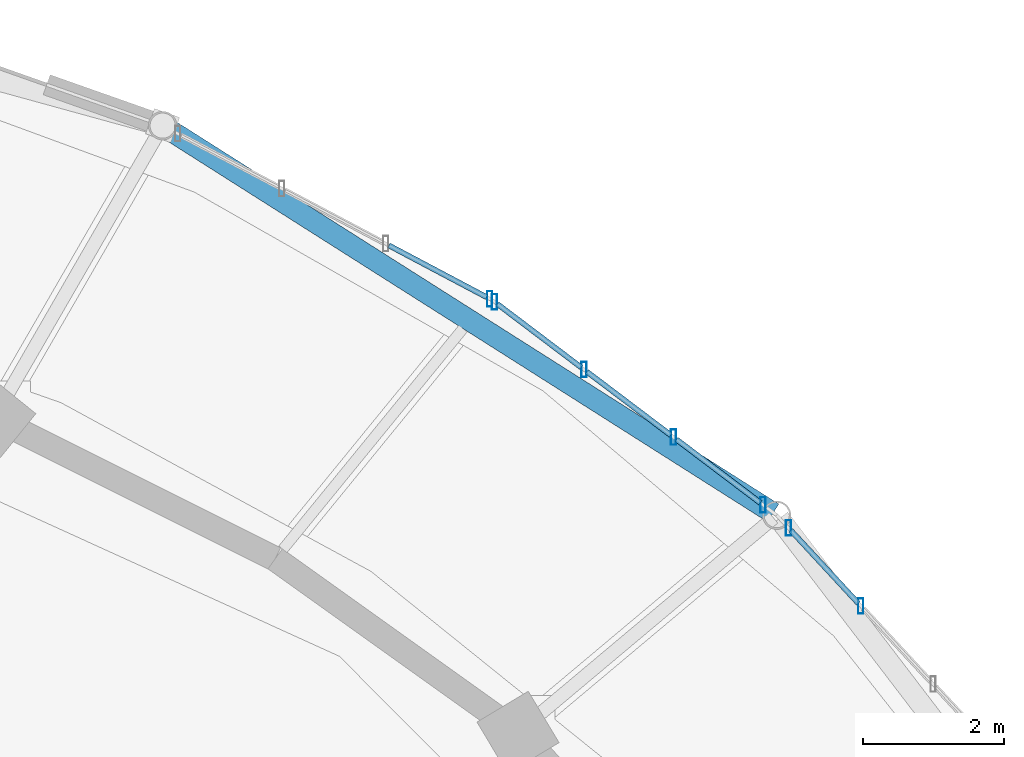
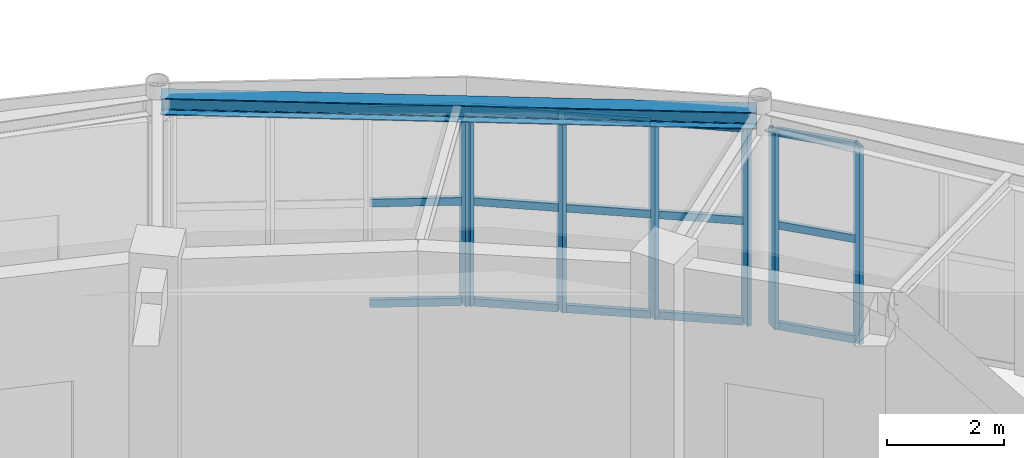
# One storey, part 58 of 108: 22 members, 1 beam, 3 elements without a shape of their own.
"""IFC4 building model written with IfcOpenShell, lengths in metres."""

import ifcopenshell
import ifcopenshell.guid

model = None  # the IFC model being written
_history = None  # IfcOwnerHistory: only IFC2X3 demands one
_inside = {}  # id of a spatial element -> (the spatial element, [elements in it])
_under = {}  # id of a project, library or spatial element -> (it, [spatial elements below it])
_declared = {}  # id of a project -> (the project, [libraries it declares])
_typed = {}  # id of a type object -> (the type object, [elements of that type])
_made_of = {}  # id of a material, layer set ... -> (it, [elements and type objects made of it])


def new_model(schema):
    """Start an empty IFC model of exactly this schema.

    Asked for "IFC4X3", IfcOpenShell would pick the latest addendum, in which some entities
    have other attributes; the version numbers below select the first issue.
    IFC2X3 requires an IfcOwnerHistory on every rooted entity: one is made here for all.
    """
    global model, _history
    if schema == "IFC4X3":
        model = ifcopenshell.file(schema_version=(4, 3, 0, 0))
    else:
        model = ifcopenshell.file(schema=schema)
    _inside.clear()
    _under.clear()
    _declared.clear()
    _typed.clear()
    _made_of.clear()
    _history = None
    if model.schema == "IFC2X3":
        org = make("IfcOrganization", Name="unknown")
        user = make(
            "IfcPersonAndOrganization",
            ThePerson=make("IfcPerson", FamilyName="unknown"),
            TheOrganization=org,
        )
        app = make(
            "IfcApplication",
            ApplicationDeveloper=org,
            Version="unknown",
            ApplicationFullName="unknown",
            ApplicationIdentifier="unknown",
        )
        _history = make(
            "IfcOwnerHistory",
            OwningUser=user,
            OwningApplication=app,
            ChangeAction="ADDED",
            CreationDate=0,
        )
    return model


def make(cls, **values):
    """One entity of the class cls with the attributes given. An attribute that is None is left unset."""
    return model.create_entity(
        cls, **{name: value for name, value in values.items() if value is not None}
    )


def rooted(cls, **values):
    """An entity with a GlobalId (a new one), such as an element, a storey or a relation."""
    return make(cls, GlobalId=ifcopenshell.guid.new(), OwnerHistory=_history, **values)


def si_unit(unit_type, name, prefix=None):
    """IfcSIUnit, for example si_unit("LENGTHUNIT", "METRE", prefix="MILLI")."""
    return make("IfcSIUnit", UnitType=unit_type, Prefix=prefix, Name=name)


def assignment(units):
    """IfcUnitAssignment: the units of a project."""
    return None if units is None else make("IfcUnitAssignment", Units=units)


def point(xyz):
    """IfcCartesianPoint."""
    return None if xyz is None else make("IfcCartesianPoint", Coordinates=xyz)


def direction(xyz):
    """IfcDirection."""
    return None if xyz is None else make("IfcDirection", DirectionRatios=xyz)


def frame(location, z_axis=None, x_axis=None):
    """IfcAxis2Placement3D, a coordinate frame: its origin and axes. An axis left out is left unset."""
    return make(
        "IfcAxis2Placement3D",
        Location=point(location),
        Axis=direction(z_axis),
        RefDirection=direction(x_axis),
    )


def frame_2d(location, x_axis=None):
    """IfcAxis2Placement2D, a coordinate frame in the plane: its origin and x axis."""
    return make(
        "IfcAxis2Placement2D", Location=point(location), RefDirection=direction(x_axis)
    )


def origin():
    """The frame at (0, 0, 0) with its axes left unset."""
    return frame((0.0, 0.0, 0.0))


def origin_2d():
    """The frame at (0, 0) in the plane with its x axis left unset."""
    return frame_2d((0.0, 0.0))


def place(relative_to, where):
    """IfcLocalPlacement: puts the frame where relative to a parent placement (None: the world)."""
    return make(
        "IfcLocalPlacement", PlacementRelTo=relative_to, RelativePlacement=where
    )


def context(
    kind, dimensions, precision=None, world=None, true_north=None, identifier=None
):
    """IfcGeometricRepresentationContext, for example the 3D "Model" context."""
    return make(
        "IfcGeometricRepresentationContext",
        ContextIdentifier=identifier,
        ContextType=kind,
        CoordinateSpaceDimension=dimensions,
        Precision=precision,
        WorldCoordinateSystem=world,
        TrueNorth=true_north,
    )


def subcontext(parent, identifier, kind, view, scale=None):
    """IfcGeometricRepresentationSubContext, for example "Body" below "Model"."""
    return make(
        "IfcGeometricRepresentationSubContext",
        ContextIdentifier=identifier,
        ContextType=kind,
        ParentContext=parent,
        TargetScale=scale,
        TargetView=view,
    )


def project(units=None, contexts=None):
    """IfcProject with its units and contexts."""
    return rooted(
        "IfcProject",
        Name="project",
        RepresentationContexts=contexts,
        UnitsInContext=assignment(units),
    )


def spatial(cls, under=None, at=None, **own):
    """A site, building, storey or space (cls), placed at a placement, below another one or the project."""
    s = rooted(cls, ObjectPlacement=at, **own)
    if under is not None:
        _under.setdefault(under.id(), (under, []))[1].append(s)
    return s


def profile(cls, at=None, kind="AREA", **sizes):
    """A parametric profile (cls). Its sizes go by their IFC names, for example OverallWidth=200.0."""
    return make(cls, ProfileType=kind, Position=at, **sizes)


def hollow_rectangle(**sizes):
    """IfcRectangleHollowProfileDef."""
    return profile("IfcRectangleHollowProfileDef", **sizes)


def i_section(**sizes):
    """IfcIShapeProfileDef."""
    return profile("IfcIShapeProfileDef", **sizes)


def extrude(swept, where, along, depth):
    """IfcExtrudedAreaSolid: the profile swept, set in the frame where, extruded along a direction by depth."""
    return make(
        "IfcExtrudedAreaSolid",
        SweptArea=swept,
        Position=where,
        ExtrudedDirection=direction(along),
        Depth=depth,
    )


def shape(context_of_items, identifier, shape_type, items):
    """IfcShapeRepresentation: the items that make up one representation, for example the "Body"."""
    return make(
        "IfcShapeRepresentation",
        ContextOfItems=context_of_items,
        RepresentationIdentifier=identifier,
        RepresentationType=shape_type,
        Items=items,
    )


def material(Name=None, Category=None):
    """IfcMaterial."""
    return make("IfcMaterial", Name=Name, Category=Category)


def material_profile(
    of_material, cross_section, Name=None, Category=None, Priority=None
):
    """IfcMaterialProfile: a cross section and its material."""
    return make(
        "IfcMaterialProfile",
        Name=Name,
        Material=of_material,
        Profile=cross_section,
        Priority=Priority,
        Category=Category,
    )


def profile_set(profiles, Name=None, composite=None):
    """IfcMaterialProfileSet."""
    return make(
        "IfcMaterialProfileSet",
        Name=Name,
        MaterialProfiles=profiles,
        CompositeProfile=composite,
    )


def made_of(thing, what):
    """Note that an element or type object is made of a material, layer set ...; save() writes the relation."""
    if what is not None:
        _made_of.setdefault(what.id(), (what, []))[1].append(thing)
    return thing


def type_object(cls, material=None, **own):
    """A type object (cls), such as IfcWallType, which elements share."""
    return made_of(rooted(cls, **own), material)


def element(
    cls,
    number,
    at=None,
    inside=None,
    cuts=None,
    type_object=None,
    material=None,
    context=None,
    identifier="Body",
    shape_type=None,
    held_by="IfcProductDefinitionShape",
    body=None,
    shapes=None,
    **own,
):
    """One element of the class cls, such as IfcWall. Its Tag is "e" and its number.

    at: its placement. inside: the storey or other place that contains it. cuts: it is an
    opening in that element (IfcRelVoidsElement). A single representation is given by context,
    identifier, shape_type and body (its items); several are given by shapes. held_by: the class
    of the entity that holds the representations. save() writes the other relations.
    """
    e = rooted(cls, Tag="e%d" % number, ObjectPlacement=at, **own)
    if body is not None:
        shapes = [shape(context, identifier, shape_type, body)]
    if shapes is not None:
        e.Representation = make(held_by, Representations=shapes)
    if inside is not None:
        _inside.setdefault(inside.id(), (inside, []))[1].append(e)
    if cuts is not None:
        rooted(
            "IfcRelVoidsElement", RelatingBuildingElement=cuts, RelatedOpeningElement=e
        )
    if type_object is not None:
        _typed.setdefault(type_object.id(), (type_object, []))[1].append(e)
    return made_of(e, material)


def aggregate(whole, parts):
    """IfcRelAggregates: a whole, such as a stair, and the parts it consists of."""
    return rooted("IfcRelAggregates", RelatingObject=whole, RelatedObjects=parts)


def save(model, path):
    """Write the relations noted so far, then the file.

    IfcRelAggregates (storeys below a building ...), IfcRelContainedInSpatialStructure (elements
    in a storey), IfcRelDefinesByType, IfcRelAssociatesMaterial and IfcRelDeclares: one each for
    every whole, place, type object, material and project.
    """
    for whole, parts in _under.values():
        aggregate(whole, parts)
    for where, things in _inside.values():
        rooted(
            "IfcRelContainedInSpatialStructure",
            RelatedElements=things,
            RelatingStructure=where,
        )
    for kind, things in _typed.values():
        rooted("IfcRelDefinesByType", RelatedObjects=things, RelatingType=kind)
    for what, things in _made_of.values():
        rooted("IfcRelAssociatesMaterial", RelatedObjects=things, RelatingMaterial=what)
    for by, libraries in _declared.values():
        rooted("IfcRelDeclares", RelatingContext=by, RelatedDefinitions=libraries)
    model.write(path)


model = new_model("IFC4")

# Units and contexts
model_context = context("Model", 3, precision=1e-05, world=origin(), true_north=direction((0.0, 1.0)))
body_context = subcontext(model_context, "Body", "Model", "MODEL_VIEW")
ifc_project = project(units=[si_unit("LENGTHUNIT", "METRE"), si_unit("AREAUNIT", "SQUARE_METRE"), si_unit("VOLUMEUNIT", "CUBIC_METRE"), si_unit("PLANEANGLEUNIT", "RADIAN"), si_unit("MASSUNIT", "GRAM", prefix="KILO")], contexts=[model_context])

# Site, building, storey
site_placement = place(None, origin())
site = spatial("IfcSite", under=ifc_project, at=site_placement, CompositionType="ELEMENT")
building_placement = place(site_placement, origin())
building = spatial("IfcBuilding", under=site, at=building_placement, Name="Tarnveldt Headland Concert Hall", CompositionType="ELEMENT")
storey_placement = place(building_placement, origin())
storey = spatial("IfcBuildingStorey", under=building, at=storey_placement, Name="L00", CompositionType="ELEMENT", Elevation=0.0)

# Curtain wall, members
ifc_material_1 = material(Name="Marine-anodised aluminium EN AW-6063-T6", Category="aluminium")
curtain_wall_type = type_object("IfcCurtainWallType", Name="CW-F1", PredefinedType="NOTDEFINED", material=ifc_material_1)
curtain_wall_1_placement = place(storey_placement, origin())
curtain_wall_1 = element("IfcCurtainWall", 1, at=curtain_wall_1_placement, inside=storey, type_object=curtain_wall_type, Name="Curtain wall CW-L00-003", PredefinedType="NOTDEFINED")
ifc_material_profile_1 = material_profile(ifc_material_1, hollow_rectangle(XDim=0.074951171875, YDim=0.219970703125, WallThickness=0.0048828125, at=origin_2d()), Name="ALU MULLION 75x220x5", Category="aluminium")
ifc_profile_set_1 = profile_set([ifc_material_profile_1], Name="Marine-anodised aluminium EN AW-6063-T6")
member_type_1 = type_object("IfcMemberType", Name="ML-200", PredefinedType="MULLION", material=ifc_profile_set_1)
member_1_placement = place(storey_placement, frame((109.820556640625, 69.151611328125, 0.0), z_axis=(0.0, 0.0, 1.0), x_axis=(1.0, 0.0, 0.0)))
member_1 = element("IfcMember", 2, at=member_1_placement, type_object=member_type_1, Name="Mullion CW-L00-003-3", PredefinedType="MULLION", context=body_context, shape_type="SweptSolid", body=[
    extrude(hollow_rectangle(XDim=0.074951171875, YDim=0.219970703125, WallThickness=0.0048828125, at=origin_2d()), origin(), (0.0, 0.0, 1.0), 4.139892578125),
])
member_2_placement = place(storey_placement, frame((108.79150390625, 70.2626953125, 0.0), z_axis=(0.0, 0.0, 1.0), x_axis=(1.0, 0.0, 0.0)))
member_2 = element("IfcMember", 3, at=member_2_placement, type_object=member_type_1, Name="Mullion CW-L00-003-4", PredefinedType="MULLION", context=body_context, shape_type="SweptSolid", body=[
    extrude(hollow_rectangle(XDim=0.074951171875, YDim=0.219970703125, WallThickness=0.0048828125, at=origin_2d()), origin(), (0.0, 0.0, 1.0), 4.139892578125),
])

curtain_wall_2_placement = place(storey_placement, origin())
curtain_wall_2 = element("IfcCurtainWall", 4, at=curtain_wall_2_placement, inside=storey, type_object=curtain_wall_type, Name="Curtain wall CW-L00-004", PredefinedType="NOTDEFINED")
member_3_placement = place(storey_placement, frame((108.432373046875, 70.587890625, 0.0), z_axis=(0.0, 0.0, 1.0), x_axis=(1.0, 0.0, 0.0)))
member_3 = element("IfcMember", 5, at=member_3_placement, type_object=member_type_1, Name="Mullion CW-L00-004-1", PredefinedType="MULLION", context=body_context, shape_type="SweptSolid", body=[
    extrude(hollow_rectangle(XDim=0.074951171875, YDim=0.219970703125, WallThickness=0.0048828125, at=origin_2d()), origin(), (0.0, 0.0, 1.0), 4.139892578125),
])
member_4_placement = place(storey_placement, frame((107.159912109375, 71.5498046875, 0.0), z_axis=(0.0, 0.0, 1.0), x_axis=(1.0, 0.0, 0.0)))
member_4 = element("IfcMember", 6, at=member_4_placement, type_object=member_type_1, Name="Mullion CW-L00-004-2", PredefinedType="MULLION", context=body_context, shape_type="SweptSolid", body=[
    extrude(hollow_rectangle(XDim=0.074951171875, YDim=0.219970703125, WallThickness=0.0048828125, at=origin_2d()), origin(), (0.0, 0.0, 1.0), 4.139892578125),
])
member_5_placement = place(storey_placement, frame((105.8876953125, 72.51171875, 0.0), z_axis=(0.0, 0.0, 1.0), x_axis=(1.0, 0.0, 0.0)))
member_5 = element("IfcMember", 7, at=member_5_placement, type_object=member_type_1, Name="Mullion CW-L00-004-3", PredefinedType="MULLION", context=body_context, shape_type="SweptSolid", body=[
    extrude(hollow_rectangle(XDim=0.074951171875, YDim=0.219970703125, WallThickness=0.0048828125, at=origin_2d()), origin(), (0.0, 0.0, 1.0), 4.139892578125),
])
member_6_placement = place(storey_placement, frame((104.615234375, 73.473876953125, 0.0), z_axis=(0.0, 0.0, 1.0), x_axis=(1.0, 0.0, 0.0)))
member_6 = element("IfcMember", 8, at=member_6_placement, type_object=member_type_1, Name="Mullion CW-L00-004-4", PredefinedType="MULLION", context=body_context, shape_type="SweptSolid", body=[
    extrude(hollow_rectangle(XDim=0.074951171875, YDim=0.219970703125, WallThickness=0.0048828125, at=origin_2d()), origin(), (0.0, 0.0, 1.0), 4.139892578125),
])

# Curtain wall, member
curtain_wall_3_placement = place(storey_placement, origin())
curtain_wall_3 = element("IfcCurtainWall", 9, at=curtain_wall_3_placement, inside=storey, type_object=curtain_wall_type, Name="Curtain wall CW-L00-005", PredefinedType="NOTDEFINED")
member_7_placement = place(storey_placement, frame((104.548095703125, 73.5166015625, 0.0), z_axis=(0.0, 0.0, 1.0), x_axis=(1.0, 0.0, 0.0)))
member_7 = element("IfcMember", 10, at=member_7_placement, type_object=member_type_1, Name="Mullion CW-L00-005-1", PredefinedType="MULLION", context=body_context, shape_type="SweptSolid", body=[
    extrude(hollow_rectangle(XDim=0.074951171875, YDim=0.219970703125, WallThickness=0.0048828125, at=origin_2d()), origin(), (0.0, 0.0, 1.0), 4.139892578125),
])

# Beam
ifc_material_2 = material(Name="Steel S355", Category="steel")
ifc_material_profile_2 = material_profile(ifc_material_2, i_section(OverallWidth=0.300048828125, OverallDepth=0.35009765625, WebThickness=0.010009765625, FlangeThickness=0.017578125, FilletRadius=0.027099609375, at=origin_2d()), Name="HEA360", Category="steel")
ifc_profile_set_2 = profile_set([ifc_material_profile_2], Name="Steel S355")
beam_type = type_object("IfcBeamType", Name="SB-HEA360", PredefinedType="SPANDREL", material=ifc_profile_set_2)
beam_placement = place(storey_placement, frame((108.57568359375, 70.47314453125, 4.344970703125), z_axis=(-0.844390967344, 0.535727444012, 0.0), x_axis=(-0.535727444012, -0.844390967344, 0.0)))
element("IfcBeam", 11, at=beam_placement, inside=storey, type_object=beam_type, Name="Framing beam L00-353", PredefinedType="SPANDREL", context=body_context, shape_type="SweptSolid", body=[
    extrude(i_section(OverallWidth=0.300048828125, OverallDepth=0.35009765625, WebThickness=0.010009765625, FlangeThickness=0.017578125, FilletRadius=0.027099609375, at=origin_2d()), origin(), (0.0, 0.0, 1.0), 10.21435546875),
])

# Member
ifc_material_profile_3 = material_profile(ifc_material_1, hollow_rectangle(XDim=0.074951171875, YDim=0.159912109375, WallThickness=0.00390625, at=origin_2d()), Name="ALU TRANSOM 75x160x4", Category="aluminium")
ifc_profile_set_3 = profile_set([ifc_material_profile_3], Name="Marine-anodised aluminium EN AW-6063-T6")
member_type_2 = type_object("IfcMemberType", Name="TR-160", PredefinedType="MEMBER", material=ifc_profile_set_3)
member_8_placement = place(storey_placement, frame((109.786865234375, 69.18798828125, 0.050048828125), z_axis=(-0.679504344073, 0.733671483966, 0.0), x_axis=(-0.733671483966, -0.679504344073, 0.0)))
member_8 = element("IfcMember", 12, at=member_8_placement, type_object=member_type_2, Name="Transom CW-L00-003-3-1", PredefinedType="MEMBER", context=body_context, shape_type="SweptSolid", body=[
    extrude(hollow_rectangle(XDim=0.074951171875, YDim=0.159912109375, WallThickness=0.00390625, at=origin_2d()), origin(), (0.0, 0.0, 1.0), 1.415283203125),
])

member_9_placement = place(storey_placement, frame((109.786865234375, 69.18798828125, 2.15283203125), z_axis=(-0.679504344073, 0.733671483966, 0.0), x_axis=(-0.733671483966, -0.679504344073, 0.0)))
member_9 = element("IfcMember", 13, at=member_9_placement, type_object=member_type_2, Name="Transom CW-L00-003-3-2", PredefinedType="MEMBER", context=body_context, shape_type="SweptSolid", body=[
    extrude(hollow_rectangle(XDim=0.074951171875, YDim=0.159912109375, WallThickness=0.00390625, at=origin_2d()), origin(), (0.0, 0.0, 1.0), 1.415283203125),
])

member_10_placement = place(storey_placement, frame((109.786865234375, 69.18798828125, 4.090087890625), z_axis=(-0.679504344073, 0.733671483966, 0.0), x_axis=(-0.733671483966, -0.679504344073, 0.0)))
member_10 = element("IfcMember", 14, at=member_10_placement, type_object=member_type_2, Name="Transom CW-L00-003-3-3", PredefinedType="MEMBER", context=body_context, shape_type="SweptSolid", body=[
    extrude(hollow_rectangle(XDim=0.074951171875, YDim=0.159912109375, WallThickness=0.00390625, at=origin_2d()), origin(), (0.0, 0.0, 1.0), 1.415283203125),
])

aggregate(curtain_wall_1, [member_1, member_2, member_8, member_9, member_10])

member_11_placement = place(storey_placement, frame((108.392822265625, 70.61767578125, 0.050048828125), z_axis=(-0.797644013211, 0.603128533721, 0.0), x_axis=(-0.603128533721, -0.797644013211, 0.0)))
member_11 = element("IfcMember", 15, at=member_11_placement, type_object=member_type_2, Name="Transom CW-L00-004-1-1", PredefinedType="MEMBER", context=body_context, shape_type="SweptSolid", body=[
    extrude(hollow_rectangle(XDim=0.074951171875, YDim=0.159912109375, WallThickness=0.00390625, at=origin_2d()), origin(), (0.0, 0.0, 1.0), 1.49609375),
])

member_12_placement = place(storey_placement, frame((108.392822265625, 70.61767578125, 2.15283203125), z_axis=(-0.797644013211, 0.603128533721, 0.0), x_axis=(-0.603128533721, -0.797644013211, 0.0)))
member_12 = element("IfcMember", 16, at=member_12_placement, type_object=member_type_2, Name="Transom CW-L00-004-1-2", PredefinedType="MEMBER", context=body_context, shape_type="SweptSolid", body=[
    extrude(hollow_rectangle(XDim=0.074951171875, YDim=0.159912109375, WallThickness=0.00390625, at=origin_2d()), origin(), (0.0, 0.0, 1.0), 1.49609375),
])

member_13_placement = place(storey_placement, frame((108.392822265625, 70.61767578125, 4.090087890625), z_axis=(-0.797644013211, 0.603128533721, 0.0), x_axis=(-0.603128533721, -0.797644013211, 0.0)))
member_13 = element("IfcMember", 17, at=member_13_placement, type_object=member_type_2, Name="Transom CW-L00-004-1-3", PredefinedType="MEMBER", context=body_context, shape_type="SweptSolid", body=[
    extrude(hollow_rectangle(XDim=0.074951171875, YDim=0.159912109375, WallThickness=0.00390625, at=origin_2d()), origin(), (0.0, 0.0, 1.0), 1.49609375),
])

member_14_placement = place(storey_placement, frame((107.12060546875, 71.57958984375, 0.050048828125), z_axis=(-0.797703362138, 0.603050036094, 0.0), x_axis=(-0.603050036094, -0.797703362138, 0.0)))
member_14 = element("IfcMember", 18, at=member_14_placement, type_object=member_type_2, Name="Transom CW-L00-004-2-1", PredefinedType="MEMBER", context=body_context, shape_type="SweptSolid", body=[
    extrude(hollow_rectangle(XDim=0.074951171875, YDim=0.159912109375, WallThickness=0.00390625, at=origin_2d()), origin(), (0.0, 0.0, 1.0), 1.496337890625),
])

member_15_placement = place(storey_placement, frame((107.12060546875, 71.57958984375, 2.15283203125), z_axis=(-0.797703362138, 0.603050036094, 0.0), x_axis=(-0.603050036094, -0.797703362138, 0.0)))
member_15 = element("IfcMember", 19, at=member_15_placement, type_object=member_type_2, Name="Transom CW-L00-004-2-2", PredefinedType="MEMBER", context=body_context, shape_type="SweptSolid", body=[
    extrude(hollow_rectangle(XDim=0.074951171875, YDim=0.159912109375, WallThickness=0.00390625, at=origin_2d()), origin(), (0.0, 0.0, 1.0), 1.496337890625),
])

member_16_placement = place(storey_placement, frame((107.12060546875, 71.57958984375, 4.090087890625), z_axis=(-0.797703362138, 0.603050036094, 0.0), x_axis=(-0.603050036094, -0.797703362138, 0.0)))
member_16 = element("IfcMember", 20, at=member_16_placement, type_object=member_type_2, Name="Transom CW-L00-004-2-3", PredefinedType="MEMBER", context=body_context, shape_type="SweptSolid", body=[
    extrude(hollow_rectangle(XDim=0.074951171875, YDim=0.159912109375, WallThickness=0.00390625, at=origin_2d()), origin(), (0.0, 0.0, 1.0), 1.496337890625),
])

member_17_placement = place(storey_placement, frame((105.84814453125, 72.541748046875, 0.050048828125), z_axis=(-0.797722519103, 0.603024694781, 0.0), x_axis=(-0.603024694781, -0.797722519103, 0.0)))
member_17 = element("IfcMember", 21, at=member_17_placement, type_object=member_type_2, Name="Transom CW-L00-004-3-1", PredefinedType="MEMBER", context=body_context, shape_type="SweptSolid", body=[
    extrude(hollow_rectangle(XDim=0.074951171875, YDim=0.159912109375, WallThickness=0.00390625, at=origin_2d()), origin(), (0.0, 0.0, 1.0), 1.495849609375),
])

member_18_placement = place(storey_placement, frame((105.84814453125, 72.541748046875, 2.15283203125), z_axis=(-0.797722519103, 0.603024694781, 0.0), x_axis=(-0.603024694781, -0.797722519103, 0.0)))
member_18 = element("IfcMember", 22, at=member_18_placement, type_object=member_type_2, Name="Transom CW-L00-004-3-2", PredefinedType="MEMBER", context=body_context, shape_type="SweptSolid", body=[
    extrude(hollow_rectangle(XDim=0.074951171875, YDim=0.159912109375, WallThickness=0.00390625, at=origin_2d()), origin(), (0.0, 0.0, 1.0), 1.495849609375),
])

member_19_placement = place(storey_placement, frame((105.84814453125, 72.541748046875, 4.090087890625), z_axis=(-0.797722519103, 0.603024694781, 0.0), x_axis=(-0.603024694781, -0.797722519103, 0.0)))
member_19 = element("IfcMember", 23, at=member_19_placement, type_object=member_type_2, Name="Transom CW-L00-004-3-3", PredefinedType="MEMBER", context=body_context, shape_type="SweptSolid", body=[
    extrude(hollow_rectangle(XDim=0.074951171875, YDim=0.159912109375, WallThickness=0.00390625, at=origin_2d()), origin(), (0.0, 0.0, 1.0), 1.495849609375),
])

aggregate(curtain_wall_2, [member_3, member_4, member_5, member_6, member_11, member_12, member_13, member_14, member_15, member_16, member_17, member_18, member_19])

member_20_placement = place(storey_placement, frame((104.50439453125, 73.539794921875, 0.050048828125), z_axis=(-0.883787916347, 0.467887720419, 0.0), x_axis=(-0.467887720419, -0.883787916347, 0.0)))
member_20 = element("IfcMember", 24, at=member_20_placement, type_object=member_type_2, Name="Transom CW-L00-005-1-1", PredefinedType="MEMBER", context=body_context, shape_type="SweptSolid", body=[
    extrude(hollow_rectangle(XDim=0.074951171875, YDim=0.159912109375, WallThickness=0.00390625, at=origin_2d()), origin(), (0.0, 0.0, 1.0), 1.5732421875),
])

member_21_placement = place(storey_placement, frame((104.50439453125, 73.539794921875, 2.15283203125), z_axis=(-0.883787916347, 0.467887720419, 0.0), x_axis=(-0.467887720419, -0.883787916347, 0.0)))
member_21 = element("IfcMember", 25, at=member_21_placement, type_object=member_type_2, Name="Transom CW-L00-005-1-2", PredefinedType="MEMBER", context=body_context, shape_type="SweptSolid", body=[
    extrude(hollow_rectangle(XDim=0.074951171875, YDim=0.159912109375, WallThickness=0.00390625, at=origin_2d()), origin(), (0.0, 0.0, 1.0), 1.5732421875),
])

member_22_placement = place(storey_placement, frame((104.50439453125, 73.539794921875, 4.090087890625), z_axis=(-0.883787916347, 0.467887720419, 0.0), x_axis=(-0.467887720419, -0.883787916347, 0.0)))
member_22 = element("IfcMember", 26, at=member_22_placement, type_object=member_type_2, Name="Transom CW-L00-005-1-3", PredefinedType="MEMBER", context=body_context, shape_type="SweptSolid", body=[
    extrude(hollow_rectangle(XDim=0.074951171875, YDim=0.159912109375, WallThickness=0.00390625, at=origin_2d()), origin(), (0.0, 0.0, 1.0), 1.5732421875),
])

aggregate(curtain_wall_3, [member_7, member_20, member_21, member_22])

save(model, "model.ifc")
